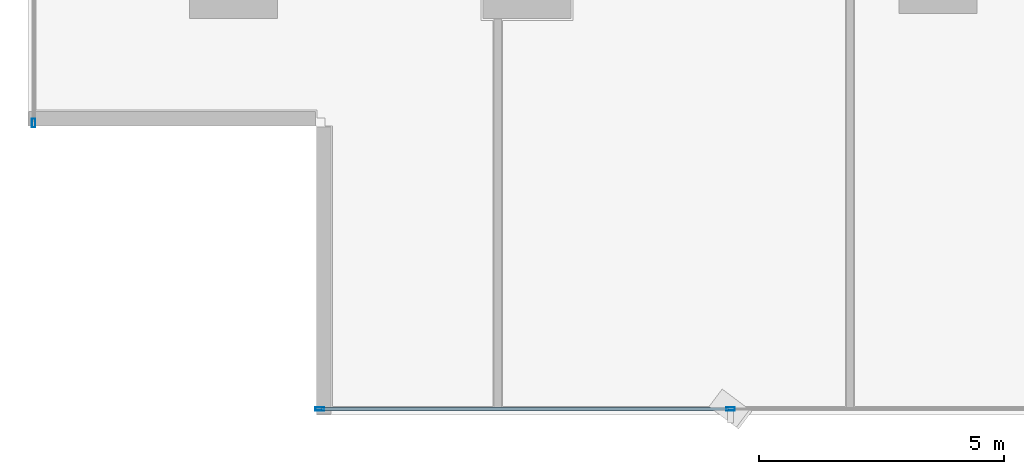
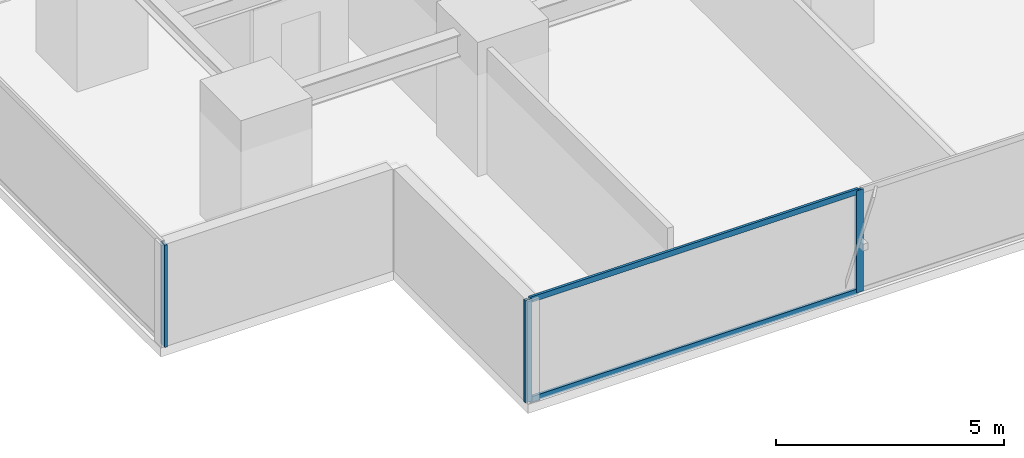
# One storey, part 2 of 32: 5 members, 2 elements without a shape of their own.
"""IFC4 building model written with IfcOpenShell, lengths in metres."""

from ifc_helpers import new_model, si_unit, direction, frame, origin, origin_2d, place, context, subcontext, project, spatial, hollow_rectangle, extrude, source, transform, mapped, material, layer, layer_set, material_profile, profile_set, type_object, element, aggregate, save


model = new_model("IFC4")

# Units and contexts
model_context = context("Model", 3, precision=1e-05, world=origin(), true_north=direction((0.0, 1.0)))
body_context = subcontext(model_context, "Body", "Model", "MODEL_VIEW")
ifc_project = project(units=[si_unit("LENGTHUNIT", "METRE"), si_unit("AREAUNIT", "SQUARE_METRE"), si_unit("VOLUMEUNIT", "CUBIC_METRE"), si_unit("PLANEANGLEUNIT", "RADIAN"), si_unit("MASSUNIT", "GRAM", prefix="KILO")], contexts=[model_context])

# Site, building, storey
site_placement = place(None, origin())
site = spatial("IfcSite", under=ifc_project, at=site_placement, CompositionType="ELEMENT")
building_placement = place(site_placement, origin())
building = spatial("IfcBuilding", under=site, at=building_placement, Name="Sumidabori Civic Tower", CompositionType="ELEMENT")
storey_placement = place(building_placement, frame((0.0, 0.0, 45.199951171875)))
storey = spatial("IfcBuildingStorey", under=building, at=storey_placement, Name="L11", CompositionType="ELEMENT", Elevation=45.199951171875)

# Curtain wall, members
ifc_material = material(Name="Anodised Bronze Aluminium AW-6063-T6", Category="aluminium")
ifc_layer = layer(ifc_material, 0.179931640625, Name="Anodised Bronze Aluminium AW-6063-T6")
ifc_layer_set = layer_set([ifc_layer], Name="Anodised Bronze Aluminium AW-6063-T6")
curtain_wall_type = type_object("IfcCurtainWallType", Name="CW-SYS-2", PredefinedType="NOTDEFINED", material=ifc_layer_set)
curtain_wall_1_placement = place(storey_placement, origin())
curtain_wall_1 = element("IfcCurtainWall", 1, at=curtain_wall_1_placement, inside=storey, type_object=curtain_wall_type, Name="Curtain Wall CW:L11:R01", PredefinedType="NOTDEFINED")
ifc_material_profile_1 = material_profile(ifc_material, hollow_rectangle(XDim=0.070068359375, YDim=0.179931640625, WallThickness=0.006103515625, at=origin_2d()), Name="ALU MULLION 180x70")
ifc_profile_set_1 = profile_set([ifc_material_profile_1], Name="Anodised Bronze Aluminium AW-6063-T6")
member_type_1 = type_object("IfcMemberType", Name="CW-MUL-180", PredefinedType="MULLION", material=ifc_profile_set_1)
shared_shape_1 = source(origin(), body_context, "Body", "SweptSolid", [
    extrude(hollow_rectangle(XDim=0.070068359375, YDim=0.179931640625, WallThickness=0.006103515625, at=origin_2d()), origin(), (0.0, 0.0, 1.0), 2.739990234375),
])
member_1_placement = place(storey_placement, frame((-21.034912109375, -26.8798828125, 0.0), z_axis=(0.0, 0.0, 1.0), x_axis=(0.0, 1.0, 0.0)))
member_1 = element("IfcMember", 2, at=member_1_placement, type_object=member_type_1, Name="CW-2 mullion 1", PredefinedType="MULLION", context=body_context, shape_type="MappedRepresentation", body=[
    mapped(shared_shape_1, transform((0.0, 0.0, 0.0), x_axis=(1.0, 0.0, 0.0), y_axis=(0.0, 1.0, 0.0), z_axis=(0.0, 0.0, 1.0), scale=1.0)),
])
member_2_placement = place(storey_placement, frame((-12.64208984375, -26.8798828125, 0.0), z_axis=(0.0, 0.0, 1.0), x_axis=(0.0, 1.0, 0.0)))
member_2 = element("IfcMember", 3, at=member_2_placement, type_object=member_type_1, Name="CW-2 mullion 2", PredefinedType="MULLION", context=body_context, shape_type="MappedRepresentation", body=[
    mapped(shared_shape_1, transform((0.0, 0.0, 0.0), x_axis=(1.0, 0.0, 0.0), y_axis=(0.0, 1.0, 0.0), z_axis=(0.0, 0.0, 1.0), scale=1.0)),
])

# Curtain wall, member
curtain_wall_2_placement = place(storey_placement, origin())
curtain_wall_2 = element("IfcCurtainWall", 4, at=curtain_wall_2_placement, inside=storey, type_object=curtain_wall_type, Name="Curtain Wall CW:L11:R10", PredefinedType="NOTDEFINED")
member_3_placement = place(storey_placement, frame((-26.8798828125, -21.034912109375, 0.0), z_axis=(0.0, 0.0, 1.0), x_axis=(1.0, 0.0, 0.0)))
member_3 = element("IfcMember", 5, at=member_3_placement, type_object=member_type_1, Name="CW-2 mullion 6", PredefinedType="MULLION", context=body_context, shape_type="MappedRepresentation", body=[
    mapped(shared_shape_1, transform((0.0, 0.0, 0.0), x_axis=(1.0, 0.0, 0.0), y_axis=(0.0, 1.0, 0.0), z_axis=(0.0, 0.0, 1.0), scale=1.0)),
])
aggregate(curtain_wall_2, [member_3])

# Member
ifc_material_profile_2 = material_profile(ifc_material, hollow_rectangle(XDim=0.06494140625, YDim=0.14990234375, WallThickness=0.0048828125, at=origin_2d()), Name="ALU TRANSOM 150x65")
ifc_profile_set_2 = profile_set([ifc_material_profile_2], Name="Anodised Bronze Aluminium AW-6063-T6")
member_type_2 = type_object("IfcMemberType", Name="CW-TRN-150", PredefinedType="USERDEFINED", material=ifc_profile_set_2)
shared_shape_2 = source(origin(), body_context, "Body", "SweptSolid", [
    extrude(hollow_rectangle(XDim=0.06494140625, YDim=0.14990234375, WallThickness=0.0048828125, at=origin_2d()), origin(), (0.0, 0.0, 1.0), 8.322998046875),
])
member_4_placement = place(storey_placement, frame((-21.0, -26.8798828125, 0.032470703125), z_axis=(1.0, 0.0, 0.0), x_axis=(0.0, 1.0, 0.0)))
member_4 = element("IfcMember", 6, at=member_4_placement, type_object=member_type_2, Name="CW-2 transom 1.1", ObjectType="TRANSOM", PredefinedType="USERDEFINED", context=body_context, shape_type="MappedRepresentation", body=[
    mapped(shared_shape_2, transform((0.0, 0.0, 0.0), x_axis=(1.0, 0.0, 0.0), y_axis=(0.0, 1.0, 0.0), z_axis=(0.0, 0.0, 1.0), scale=1.0)),
])

member_5_placement = place(storey_placement, frame((-21.0, -26.8798828125, 2.70751953125), z_axis=(1.0, 0.0, 0.0), x_axis=(0.0, 1.0, 0.0)))
member_5 = element("IfcMember", 7, at=member_5_placement, type_object=member_type_2, Name="CW-2 transom 1.2", ObjectType="TRANSOM", PredefinedType="USERDEFINED", context=body_context, shape_type="MappedRepresentation", body=[
    mapped(shared_shape_2, transform((0.0, 0.0, 0.0), x_axis=(1.0, 0.0, 0.0), y_axis=(0.0, 1.0, 0.0), z_axis=(0.0, 0.0, 1.0), scale=1.0)),
])

aggregate(curtain_wall_1, [member_1, member_2, member_4, member_5])

save(model, "model.ifc")
